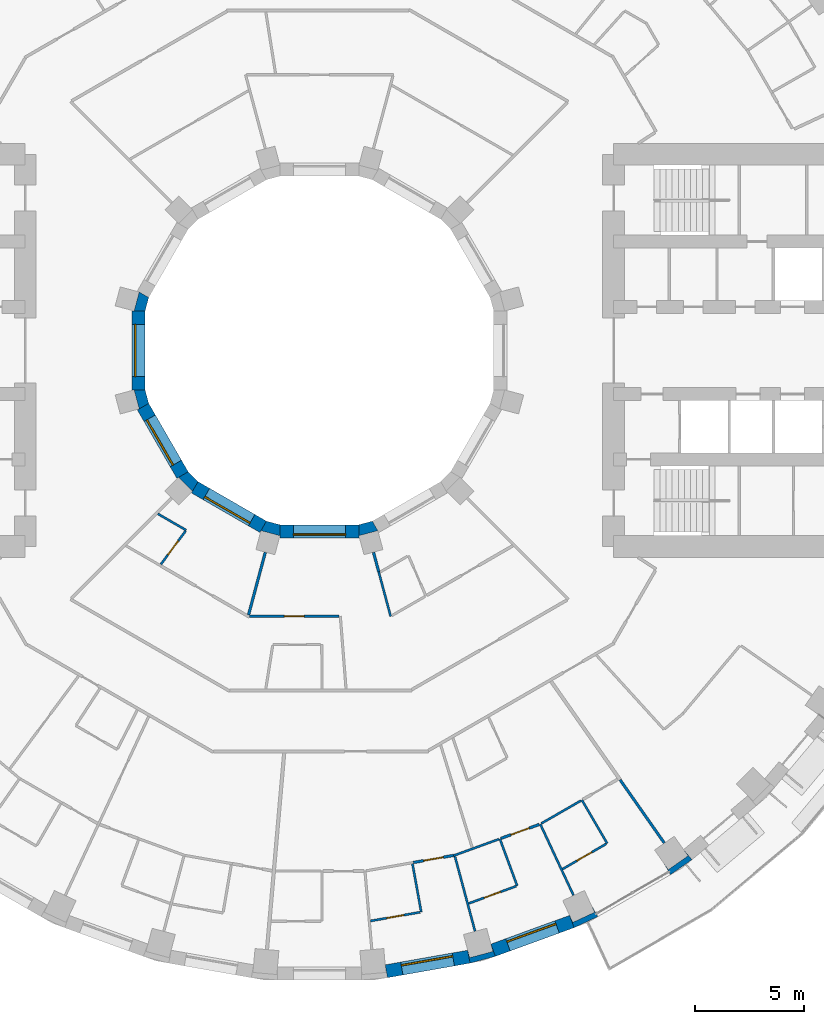
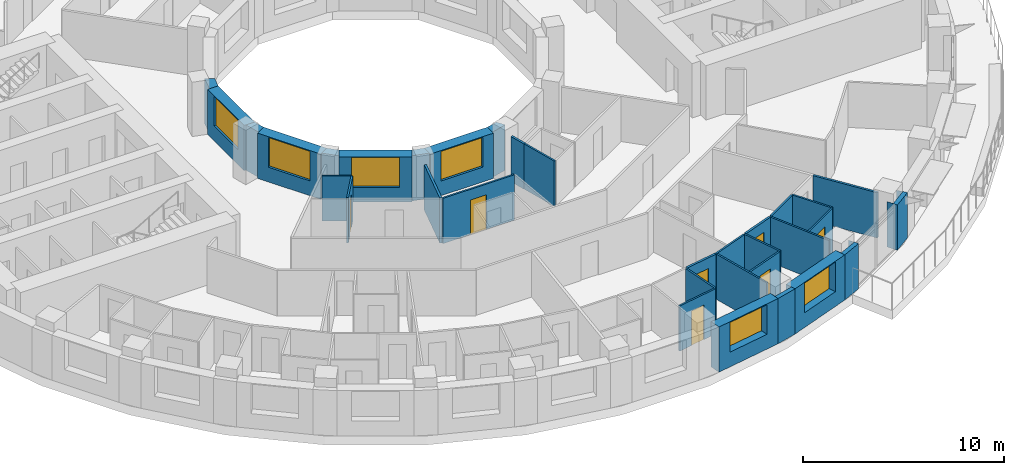
# One storey, part 7 of 15: 33 walls, 7 doors, 6 windows, 13 openings.
"""IFC4 building model written with IfcOpenShell, lengths in metres."""

from ifc_helpers import new_model, si_unit, direction, frame, frame_2d, origin, place, context, subcontext, project, spatial, polyline, rectangle, outline, extrude, material, layer, layer_set, type_object, element, fill, save


model = new_model("IFC4")

# Units and contexts
model_context = context("Model", 3, precision=1e-05, world=origin(), true_north=direction((0.0, 1.0)))
body_context = subcontext(model_context, "Body", "Model", "MODEL_VIEW")
ifc_project = project(units=[si_unit("LENGTHUNIT", "METRE"), si_unit("AREAUNIT", "SQUARE_METRE"), si_unit("VOLUMEUNIT", "CUBIC_METRE"), si_unit("PLANEANGLEUNIT", "RADIAN"), si_unit("MASSUNIT", "GRAM", prefix="KILO")], contexts=[model_context])

# Site, building, storey
site_placement = place(None, origin())
site = spatial("IfcSite", under=ifc_project, at=site_placement, CompositionType="ELEMENT")
building_placement = place(site_placement, origin())
building = spatial("IfcBuilding", under=site, at=building_placement, Name="Saqina Gate Tower", CompositionType="ELEMENT")
storey_placement = place(building_placement, frame((0.0, 0.0, 39.5)))
storey = spatial("IfcBuildingStorey", under=building, at=storey_placement, Name="L10", CompositionType="ELEMENT", Elevation=39.5)

# Walls
ifc_material_1 = material(Name="Brick masonry (red)", Category="masonry")
wall_type_1 = type_object("IfcWallType", Name="BRICK PIER COPING RED", PredefinedType="SOLIDWALL", material=ifc_material_1)
wall_1_placement = place(storey_placement, origin())
element("IfcWall", 1, at=wall_1_placement, inside=storey, type_object=wall_type_1, Name="Pier cap L10 column 29", PredefinedType="SOLIDWALL", context=body_context, shape_type="SweptSolid", body=[
    extrude(outline(polyline([(6.910400390625, -28.11669921875), (8.073974609375, -27.80517578125), (7.86865234375, -27.2412109375), (7.95947265625, -27.57958984375), (6.896728515625, -27.864501953125), (6.80615234375, -27.52587890625), (6.910400390625, -28.11669921875)])), origin(), (0.0, 0.0, 1.0), 2.75),
])
wall_2_placement = place(storey_placement, origin())
element("IfcWall", 2, at=wall_2_placement, inside=storey, type_object=wall_type_1, Name="Pier cap L10 column 30", PredefinedType="SOLIDWALL", context=body_context, shape_type="SweptSolid", body=[
    extrude(outline(polyline([(12.779541015625, -25.980712890625), (12.4794921875, -25.4609375), (12.627685546875, -25.778564453125), (11.630615234375, -26.243408203125), (11.482666015625, -25.92578125), (11.687744140625, -26.48974609375), (12.779541015625, -25.980712890625)])), origin(), (0.0, 0.0, 1.0), 2.75),
])
wall_3_placement = place(storey_placement, origin())
element("IfcWall", 3, at=wall_3_placement, inside=storey, type_object=wall_type_1, Name="Pier cap L10 column 31", PredefinedType="SOLIDWALL", context=body_context, shape_type="SweptSolid", body=[
    extrude(outline(polyline([(16.110107421875, -24.0576171875), (17.096923828125, -23.36669921875), (16.711181640625, -22.9072265625), (16.912109375, -23.194091796875), (16.010986328125, -23.8251953125), (15.81005859375, -23.5380859375), (16.110107421875, -24.0576171875)])), origin(), (0.0, 0.0, 1.0), 2.75),
])

# Wall, opening, window
ifc_material_2 = material(Name="Brick masonry (red)", Category="masonry")
ifc_layer_1 = layer(ifc_material_2, 0.60009765625)
ifc_layer_set_1 = layer_set([ifc_layer_1], Name="FW-BRICK-RED")
wall_type_2 = type_object("IfcWallType", Name="FW-BRICK-RED", PredefinedType="SOLIDWALL", material=ifc_layer_set_1)
wall_4_placement = place(storey_placement, frame((3.07080078125, -28.4892578125, 0.0), z_axis=(0.0, 0.0, 1.0), x_axis=(0.984800809218, 0.173687553279, 0.0)))
wall_4 = element("IfcWall", 4, at=wall_4_placement, inside=storey, type_object=wall_type_2, Name="Facade wall L10 facet 28", PredefinedType="SOLIDWALL", context=body_context, shape_type="SweptSolid", body=[
    extrude(rectangle(XDim=3.845703125, YDim=0.60009765625, at=frame_2d((1.9228515625, 0.0))), origin(), (0.0, 0.0, 1.0), 2.75),
])
opening_1_placement = place(wall_4_placement, frame((0.722900390625, 0.0, 0.89990234375)))
opening_1 = element("IfcOpeningElement", 5, at=opening_1_placement, cuts=wall_4, Name="Opening G02-W21", PredefinedType="OPENING", context=body_context, shape_type="SweptSolid", body=[
    extrude(rectangle(XDim=2.39990234375, YDim=1.800048828125, at=frame_2d((1.199951171875, 0.89990234375))), frame((0.0, 0.31201171875, 0.0), z_axis=(0.0, -1.0, 0.0), x_axis=(1.0, 0.0, 0.0)), (0.0, 0.0, 1.0), 0.6240234375),
])
ifc_material_3 = material(Name="Aluminium glazing", Category="aluminium")
window_type_1 = type_object("IfcWindowType", Name="WN-A", PartitioningType="SINGLE_PANEL", PredefinedType="WINDOW", material=ifc_material_3)
window_1_placement = place(opening_1_placement, origin())
window_1 = element("IfcWindow", 6, at=window_1_placement, inside=storey, type_object=window_type_1, Name="Window L10 facet 28", OverallHeight=1.800048828125, OverallWidth=2.39990234375, PartitioningType="SINGLE_PANEL", PredefinedType="WINDOW", context=body_context, shape_type="SweptSolid", body=[
    extrude(rectangle(XDim=2.39990234375, YDim=1.800048828125, at=frame_2d((1.199951171875, 0.89990234375))), frame((0.0, 0.179931640625, 0.0), z_axis=(0.0, -1.0, 0.0), x_axis=(1.0, 0.0, 0.0)), (0.0, 0.0, 1.0), 0.06005859375),
])
fill(opening_1, window_1)

wall_5_placement = place(storey_placement, frame((7.97119140625, -27.523193359375, 0.0), z_axis=(0.0, 0.0, 1.0), x_axis=(0.939689588564, 0.342028474173, 0.0)))
wall_5 = element("IfcWall", 7, at=wall_5_placement, inside=storey, type_object=wall_type_2, Name="Facade wall L10 facet 29", PredefinedType="SOLIDWALL", context=body_context, shape_type="SweptSolid", body=[
    extrude(rectangle(XDim=3.845947265625, YDim=0.60009765625, at=frame_2d((1.9228515625, 0.0))), origin(), (0.0, 0.0, 1.0), 2.75),
])
opening_2_placement = place(wall_5_placement, frame((0.722900390625, 0.0, 0.89990234375)))
opening_2 = element("IfcOpeningElement", 8, at=opening_2_placement, cuts=wall_5, Name="Opening G02-W22", PredefinedType="OPENING", context=body_context, shape_type="SweptSolid", body=[
    extrude(rectangle(XDim=2.39990234375, YDim=1.800048828125, at=frame_2d((1.199951171875, 0.89990234375))), frame((0.0, 0.31201171875, 0.0), z_axis=(0.0, -1.0, 0.0), x_axis=(1.0, 0.0, 0.0)), (0.0, 0.0, 1.0), 0.6240234375),
])
window_2_placement = place(opening_2_placement, origin())
window_2 = element("IfcWindow", 9, at=window_2_placement, inside=storey, type_object=window_type_1, Name="Window L10 facet 29", OverallHeight=1.800048828125, OverallWidth=2.39990234375, PartitioningType="SINGLE_PANEL", PredefinedType="WINDOW", context=body_context, shape_type="SweptSolid", body=[
    extrude(rectangle(XDim=2.39990234375, YDim=1.800048828125, at=frame_2d((1.199951171875, 0.89990234375))), frame((0.0, 0.179931640625, 0.0), z_axis=(0.0, -1.0, 0.0), x_axis=(1.0, 0.0, 0.0)), (0.0, 0.0, 1.0), 0.06005859375),
])
fill(opening_2, window_2)

ifc_material_4 = material(Name="Glazed ceramic tile", Category="ceramic")
ifc_layer_2 = layer(ifc_material_4, 0.60009765625)
ifc_layer_set_2 = layer_set([ifc_layer_2], Name="IW-TILE")
wall_type_3 = type_object("IfcWallType", Name="IW-TILE", PredefinedType="SOLIDWALL", material=ifc_layer_set_2)
wall_6_placement = place(storey_placement, frame((-8.300048828125, 1.8125, 0.0), z_axis=(0.0, 0.0, 1.0), x_axis=(0.0, -1.0, 0.0)))
wall_6 = element("IfcWall", 10, at=wall_6_placement, inside=storey, type_object=wall_type_3, Name="Well wall L10 facet 6", PredefinedType="SOLIDWALL", context=body_context, shape_type="SweptSolid", body=[
    extrude(rectangle(XDim=3.625, YDim=0.60009765625, at=frame_2d((1.8125, 0.0))), origin(), (0.0, 0.0, 1.0), 2.75),
])
opening_3_placement = place(wall_6_placement, frame((0.612548828125, 0.0, 0.89990234375)))
opening_3 = element("IfcOpeningElement", 11, at=opening_3_placement, cuts=wall_6, Name="Opening G02-W28", PredefinedType="OPENING", context=body_context, shape_type="SweptSolid", body=[
    extrude(rectangle(XDim=2.39990234375, YDim=1.800048828125, at=frame_2d((1.199951171875, 0.89990234375))), frame((0.0, 0.31201171875, 0.0), z_axis=(0.0, -1.0, 0.0), x_axis=(1.0, 0.0, 0.0)), (0.0, 0.0, 1.0), 0.6240234375),
])
ifc_material_5 = material(Name="Aluminium glazing", Category="aluminium")
window_type_2 = type_object("IfcWindowType", Name="WN-W", PartitioningType="SINGLE_PANEL", PredefinedType="WINDOW", material=ifc_material_5)
window_3_placement = place(opening_3_placement, origin())
window_3 = element("IfcWindow", 12, at=window_3_placement, inside=storey, type_object=window_type_2, Name="Well window L10 facet 6", OverallHeight=1.800048828125, OverallWidth=2.39990234375, PartitioningType="SINGLE_PANEL", PredefinedType="WINDOW", context=body_context, shape_type="SweptSolid", body=[
    extrude(rectangle(XDim=2.39990234375, YDim=1.800048828125, at=frame_2d((1.199951171875, 0.89990234375))), frame((0.0, -0.119873046875, 0.0), z_axis=(0.0, -1.0, 0.0), x_axis=(1.0, 0.0, 0.0)), (0.0, 0.0, 1.0), 0.06005859375),
])
fill(opening_3, window_3)

wall_7_placement = place(storey_placement, frame((-8.09423828125, -2.580322265625, 0.0), z_axis=(0.0, 0.0, 1.0), x_axis=(0.499992569217, -0.866029693906, 0.0)))
wall_7 = element("IfcWall", 13, at=wall_7_placement, inside=storey, type_object=wall_type_3, Name="Well wall L10 facet 7", PredefinedType="SOLIDWALL", context=body_context, shape_type="SweptSolid", body=[
    extrude(rectangle(XDim=3.625, YDim=0.60009765625, at=frame_2d((1.8125, 0.0))), origin(), (0.0, 0.0, 1.0), 2.75),
])
opening_4_placement = place(wall_7_placement, frame((0.612548828125, 0.0, 0.89990234375)))
opening_4 = element("IfcOpeningElement", 14, at=opening_4_placement, cuts=wall_7, Name="Opening G02-W29", PredefinedType="OPENING", context=body_context, shape_type="SweptSolid", body=[
    extrude(rectangle(XDim=2.39990234375, YDim=1.800048828125, at=frame_2d((1.199951171875, 0.89990234375))), frame((0.0, 0.31201171875, 0.0), z_axis=(0.0, -1.0, 0.0), x_axis=(1.0, 0.0, 0.0)), (0.0, 0.0, 1.0), 0.6240234375),
])
window_4_placement = place(opening_4_placement, origin())
window_4 = element("IfcWindow", 15, at=window_4_placement, inside=storey, type_object=window_type_2, Name="Well window L10 facet 7", OverallHeight=1.800048828125, OverallWidth=2.39990234375, PartitioningType="SINGLE_PANEL", PredefinedType="WINDOW", context=body_context, shape_type="SweptSolid", body=[
    extrude(rectangle(XDim=2.39990234375, YDim=1.800048828125, at=frame_2d((1.199951171875, 0.89990234375))), frame((0.0, -0.119873046875, 0.0), z_axis=(0.0, -1.0, 0.0), x_axis=(1.0, 0.0, 0.0)), (0.0, 0.0, 1.0), 0.06005859375),
])
fill(opening_4, window_4)

wall_8_placement = place(storey_placement, frame((-5.7197265625, -6.28173828125, 0.0), z_axis=(0.0, 0.0, 1.0), x_axis=(0.866029693906, -0.499992569217, 0.0)))
wall_8 = element("IfcWall", 16, at=wall_8_placement, inside=storey, type_object=wall_type_3, Name="Well wall L10 facet 8", PredefinedType="SOLIDWALL", context=body_context, shape_type="SweptSolid", body=[
    extrude(rectangle(XDim=3.625, YDim=0.60009765625, at=frame_2d((1.8125, 0.0))), origin(), (0.0, 0.0, 1.0), 2.75),
])
opening_5_placement = place(wall_8_placement, frame((0.612548828125, 0.0, 0.89990234375)))
opening_5 = element("IfcOpeningElement", 17, at=opening_5_placement, cuts=wall_8, Name="Opening G02-W30", PredefinedType="OPENING", context=body_context, shape_type="SweptSolid", body=[
    extrude(rectangle(XDim=2.39990234375, YDim=1.800048828125, at=frame_2d((1.199951171875, 0.89990234375))), frame((0.0, 0.31201171875, 0.0), z_axis=(0.0, -1.0, 0.0), x_axis=(1.0, 0.0, 0.0)), (0.0, 0.0, 1.0), 0.6240234375),
])
window_5_placement = place(opening_5_placement, origin())
window_5 = element("IfcWindow", 18, at=window_5_placement, inside=storey, type_object=window_type_2, Name="Well window L10 facet 8", OverallHeight=1.800048828125, OverallWidth=2.39990234375, PartitioningType="SINGLE_PANEL", PredefinedType="WINDOW", context=body_context, shape_type="SweptSolid", body=[
    extrude(rectangle(XDim=2.39990234375, YDim=1.800048828125, at=frame_2d((1.199951171875, 0.89990234375))), frame((0.0, -0.119873046875, 0.0), z_axis=(0.0, -1.0, 0.0), x_axis=(1.0, 0.0, 0.0)), (0.0, 0.0, 1.0), 0.06005859375),
])
fill(opening_5, window_5)

wall_9_placement = place(storey_placement, frame((-1.8125, -8.300048828125, 0.0), z_axis=(0.0, 0.0, 1.0), x_axis=(1.0, 0.0, 0.0)))
wall_9 = element("IfcWall", 19, at=wall_9_placement, inside=storey, type_object=wall_type_3, Name="Well wall L10 facet 9", PredefinedType="SOLIDWALL", context=body_context, shape_type="SweptSolid", body=[
    extrude(rectangle(XDim=3.625, YDim=0.60009765625, at=frame_2d((1.8125, 0.0))), origin(), (0.0, 0.0, 1.0), 2.75),
])
opening_6_placement = place(wall_9_placement, frame((0.612548828125, 0.0, 0.89990234375)))
opening_6 = element("IfcOpeningElement", 20, at=opening_6_placement, cuts=wall_9, Name="Opening G02-W31", PredefinedType="OPENING", context=body_context, shape_type="SweptSolid", body=[
    extrude(rectangle(XDim=2.39990234375, YDim=1.800048828125, at=frame_2d((1.199951171875, 0.89990234375))), frame((0.0, 0.31201171875, 0.0), z_axis=(0.0, -1.0, 0.0), x_axis=(1.0, 0.0, 0.0)), (0.0, 0.0, 1.0), 0.6240234375),
])
window_6_placement = place(opening_6_placement, origin())
window_6 = element("IfcWindow", 21, at=window_6_placement, inside=storey, type_object=window_type_2, Name="Well window L10 facet 9", OverallHeight=1.800048828125, OverallWidth=2.39990234375, PartitioningType="SINGLE_PANEL", PredefinedType="WINDOW", context=body_context, shape_type="SweptSolid", body=[
    extrude(rectangle(XDim=2.39990234375, YDim=1.800048828125, at=frame_2d((1.199951171875, 0.89990234375))), frame((0.0, -0.119873046875, 0.0), z_axis=(0.0, -1.0, 0.0), x_axis=(1.0, 0.0, 0.0)), (0.0, 0.0, 1.0), 0.06005859375),
])
fill(opening_6, window_6)

# Walls
ifc_material_6 = material(Name="Gypsum board on steel studs, 100 mm", Category="steel")
ifc_layer_3 = layer(ifc_material_6, 0.10009765625)
ifc_layer_set_3 = layer_set([ifc_layer_3], Name="PARTITION 100")
wall_type_4 = type_object("IfcWallType", Name="PARTITION 100", PredefinedType="PARTITIONING", material=ifc_layer_set_3)
wall_10_placement = place(storey_placement, frame((4.27099609375, -23.55615234375, 0.0), z_axis=(0.0, 0.0, 1.0), x_axis=(0.178283818946, -0.983979105419, 0.0)))
element("IfcWall", 22, at=wall_10_placement, inside=storey, type_object=wall_type_4, Name="PARTITION PW3-09", PredefinedType="PARTITIONING", context=body_context, shape_type="SweptSolid", body=[
    extrude(rectangle(XDim=2.25, YDim=0.10009765625, at=frame_2d((1.125, 0.0))), origin(), (0.0, 0.0, 1.0), 2.75),
])
wall_11_placement = place(storey_placement, frame((2.718994140625, -10.152099609375, 0.0), z_axis=(0.0, 0.0, 1.0), x_axis=(0.259403619233, -0.965769000501, 0.0)))
element("IfcWall", 23, at=wall_11_placement, inside=storey, type_object=wall_type_4, Name="PARTITION PW3-13", PredefinedType="PARTITIONING", context=body_context, shape_type="SweptSolid", body=[
    extrude(rectangle(XDim=2.120361328125, YDim=0.10009765625, at=frame_2d((1.06005859375, 0.0))), origin(), (0.0, 0.0, 1.0), 2.75),
])
wall_12_placement = place(storey_placement, frame((6.22119140625, -23.224853515625, 0.0), z_axis=(0.0, 0.0, 1.0), x_axis=(0.259393262225, -0.965771782313, 0.0)))
element("IfcWall", 24, at=wall_12_placement, inside=storey, type_object=wall_type_4, Name="PARTITION PW3-14", PredefinedType="PARTITIONING", context=body_context, shape_type="SweptSolid", body=[
    extrude(rectangle(XDim=3.54638671875, YDim=0.10009765625, at=frame_2d((1.773193359375, 0.0))), origin(), (0.0, 0.0, 1.0), 2.75),
])
wall_13_placement = place(storey_placement, frame((8.279052734375, -22.409912109375, 0.0), z_axis=(0.0, 0.0, 1.0), x_axis=(0.346546571046, -0.938032768136, 0.0)))
element("IfcWall", 25, at=wall_13_placement, inside=storey, type_object=wall_type_4, Name="PARTITION PW3-19", PredefinedType="PARTITIONING", context=body_context, shape_type="SweptSolid", body=[
    extrude(rectangle(XDim=2.299560546875, YDim=0.10009765625, at=frame_2d((1.14990234375, 0.0))), origin(), (0.0, 0.0, 1.0), 2.75),
])
wall_14_placement = place(storey_placement, frame((10.135009765625, -21.73388671875, 0.0), z_axis=(0.0, 0.0, 1.0), x_axis=(0.422504004964, -0.906361057079, 0.0)))
element("IfcWall", 26, at=wall_14_placement, inside=storey, type_object=wall_type_4, Name="PARTITION PW3-22", PredefinedType="PARTITIONING", context=body_context, shape_type="SweptSolid", body=[
    extrude(rectangle(XDim=3.609130859375, YDim=0.10009765625, at=frame_2d((1.8046875, 0.0))), origin(), (0.0, 0.0, 1.0), 2.75),
])
wall_15_placement = place(storey_placement, frame((12.044921875, -20.631103515625, 0.0), z_axis=(0.0, 0.0, 1.0), x_axis=(0.503937015779, -0.863740403204, 0.0)))
element("IfcWall", 27, at=wall_15_placement, inside=storey, type_object=wall_type_4, Name="PARTITION PW3-28", PredefinedType="PARTITIONING", context=body_context, shape_type="SweptSolid", body=[
    extrude(rectangle(XDim=2.30029296875, YDim=0.10009765625, at=frame_2d((1.150146484375, 0.0))), origin(), (0.0, 0.0, 1.0), 2.75),
])
wall_16_placement = place(storey_placement, frame((-7.412841796875, -7.498291015625, 0.0), z_axis=(0.0, 0.0, 1.0), x_axis=(0.866060889342, -0.499938532174, 0.0)))
element("IfcWall", 28, at=wall_16_placement, inside=storey, type_object=wall_type_4, Name="PARTITION PW3-44", PredefinedType="PARTITIONING", context=body_context, shape_type="SweptSolid", body=[
    extrude(rectangle(XDim=1.499755859375, YDim=0.10009765625, at=frame_2d((0.75, 0.0))), origin(), (0.0, 0.0, 1.0), 2.75),
])

# Wall, opening, door
wall_17_placement = place(storey_placement, frame((-3.20556640625, -12.199951171875, 0.0), z_axis=(0.0, 0.0, 1.0), x_axis=(1.0, 0.0, 0.0)))
wall_17 = element("IfcWall", 29, at=wall_17_placement, inside=storey, type_object=wall_type_4, Name="PARTITION PW3-60", PredefinedType="PARTITIONING", context=body_context, shape_type="SweptSolid", body=[
    extrude(rectangle(XDim=4.113525390625, YDim=0.10009765625, at=frame_2d((2.056640625, 0.0))), origin(), (0.0, 0.0, 1.0), 2.75),
])
opening_7_placement = place(wall_17_placement, frame((1.6005859375, 0.0, 0.0)))
opening_7 = element("IfcOpeningElement", 30, at=opening_7_placement, cuts=wall_17, Name="Opening G02-D50", PredefinedType="OPENING", context=body_context, shape_type="SweptSolid", body=[
    extrude(rectangle(XDim=0.89990234375, YDim=2.10009765625, at=frame_2d((0.449951171875, 1.050048828125))), frame((0.0, 0.06201171875, 0.0), z_axis=(0.0, -1.0, 0.0), x_axis=(1.0, 0.0, 0.0)), (0.0, 0.0, 1.0), 0.1240234375),
])
ifc_material_7 = material(Name="Timber door leaf, 900 mm", Category="wood")
door_type_1 = type_object("IfcDoorType", Name="DOOR 900 TIMBER", OperationType="SINGLE_SWING_LEFT", PredefinedType="DOOR", material=ifc_material_7)
door_1_placement = place(opening_7_placement, origin())
door_1 = element("IfcDoor", 31, at=door_1_placement, inside=storey, type_object=door_type_1, Name="DOOR G02-D50", OperationType="SINGLE_SWING_LEFT", OverallHeight=2.10009765625, OverallWidth=0.89990234375, PredefinedType="DOOR", context=body_context, shape_type="SweptSolid", body=[
    extrude(rectangle(XDim=0.89990234375, YDim=2.10009765625, at=frame_2d((0.449951171875, 1.050048828125))), frame((0.0, 0.02490234375, 0.0), z_axis=(0.0, -1.0, 0.0), x_axis=(1.0, 0.0, 0.0)), (0.0, 0.0, 1.0), 0.050048828125),
])
fill(opening_7, door_1)

wall_18_placement = place(storey_placement, frame((2.340576171875, -26.18115234375, 0.0), z_axis=(0.0, 0.0, 1.0), x_axis=(0.984795222678, 0.173719225738, 0.0)))
wall_18 = element("IfcWall", 32, at=wall_18_placement, inside=storey, type_object=wall_type_4, Name="PARTITION PW3-65", PredefinedType="PARTITIONING", context=body_context, shape_type="SweptSolid", body=[
    extrude(rectangle(XDim=2.3173828125, YDim=0.10009765625, at=frame_2d((1.15869140625, 0.0))), origin(), (0.0, 0.0, 1.0), 2.75),
])
opening_8_placement = place(wall_18_placement, frame((0.758544921875, 0.0, 0.0)))
opening_8 = element("IfcOpeningElement", 33, at=opening_8_placement, cuts=wall_18, Name="Opening G02-D55", PredefinedType="OPENING", context=body_context, shape_type="SweptSolid", body=[
    extrude(rectangle(XDim=0.800048828125, YDim=2.10009765625, at=frame_2d((0.39990234375, 1.050048828125))), frame((0.0, 0.06201171875, 0.0), z_axis=(0.0, -1.0, 0.0), x_axis=(1.0, 0.0, 0.0)), (0.0, 0.0, 1.0), 0.1240234375),
])
ifc_material_8 = material(Name="Timber door leaf, 800 mm", Category="wood")
door_type_2 = type_object("IfcDoorType", Name="DOOR 800 TIMBER", OperationType="SINGLE_SWING_LEFT", PredefinedType="DOOR", material=ifc_material_8)
door_2_placement = place(opening_8_placement, frame((0.800048828125, 0.0, 0.0), z_axis=(0.0, 0.0, 1.0), x_axis=(-1.0, 0.0, 0.0)))
door_2 = element("IfcDoor", 34, at=door_2_placement, inside=storey, type_object=door_type_2, Name="DOOR G02-D55", OperationType="SINGLE_SWING_RIGHT", OverallHeight=2.10009765625, OverallWidth=0.800048828125, PredefinedType="DOOR", context=body_context, shape_type="SweptSolid", body=[
    extrude(rectangle(XDim=0.800048828125, YDim=2.10009765625, at=frame_2d((0.39990234375, 1.050048828125))), frame((0.0, 0.02490234375, 0.0), z_axis=(0.0, -1.0, 0.0), x_axis=(1.0, 0.0, 0.0)), (0.0, 0.0, 1.0), 0.050048828125),
])
fill(opening_8, door_2)

wall_19_placement = place(storey_placement, frame((6.851318359375, -25.376708984375, 0.0), z_axis=(0.0, 0.0, 1.0), x_axis=(0.939679567759, 0.342056004093, 0.0)))
wall_19 = element("IfcWall", 35, at=wall_19_placement, inside=storey, type_object=wall_type_4, Name="PARTITION PW3-69", PredefinedType="PARTITIONING", context=body_context, shape_type="SweptSolid", body=[
    extrude(rectangle(XDim=2.317626953125, YDim=0.10009765625, at=frame_2d((1.15869140625, 0.0))), origin(), (0.0, 0.0, 1.0), 2.75),
])
opening_9_placement = place(wall_19_placement, frame((0.75830078125, 0.0, 0.0)))
opening_9 = element("IfcOpeningElement", 36, at=opening_9_placement, cuts=wall_19, Name="Opening G02-D58", PredefinedType="OPENING", context=body_context, shape_type="SweptSolid", body=[
    extrude(rectangle(XDim=0.800048828125, YDim=2.10009765625, at=frame_2d((0.39990234375, 1.050048828125))), frame((0.0, 0.06201171875, 0.0), z_axis=(0.0, -1.0, 0.0), x_axis=(1.0, 0.0, 0.0)), (0.0, 0.0, 1.0), 0.1240234375),
])
door_3_placement = place(opening_9_placement, frame((0.800048828125, 0.0, 0.0), z_axis=(0.0, 0.0, 1.0), x_axis=(-1.0, 0.0, 0.0)))
door_3 = element("IfcDoor", 37, at=door_3_placement, inside=storey, type_object=door_type_2, Name="DOOR G02-D58", OperationType="SINGLE_SWING_RIGHT", OverallHeight=2.10009765625, OverallWidth=0.800048828125, PredefinedType="DOOR", context=body_context, shape_type="SweptSolid", body=[
    extrude(rectangle(XDim=0.800048828125, YDim=2.10009765625, at=frame_2d((0.39990234375, 1.050048828125))), frame((0.0, 0.02490234375, 0.0), z_axis=(0.0, -1.0, 0.0), x_axis=(1.0, 0.0, 0.0)), (0.0, 0.0, 1.0), 0.050048828125),
])
fill(opening_9, door_3)

# Walls
wall_20_placement = place(storey_placement, frame((6.1591796875, -23.181396484375, 0.0), z_axis=(0.0, 0.0, 1.0), x_axis=(0.939696437289, 0.342009657388, 0.0)))
element("IfcWall", 38, at=wall_20_placement, inside=storey, type_object=wall_type_4, Name="PARTITION PW3-70", PredefinedType="PARTITIONING", context=body_context, shape_type="SweptSolid", body=[
    extrude(rectangle(XDim=2.205810546875, YDim=0.10009765625, at=frame_2d((1.10302734375, 0.0))), origin(), (0.0, 0.0, 1.0), 2.75),
])
wall_21_placement = place(storey_placement, frame((10.189208984375, -21.702880859375, 0.0), z_axis=(0.0, 0.0, 1.0), x_axis=(0.866587299052, 0.499025503479, 0.0)))
element("IfcWall", 39, at=wall_21_placement, inside=storey, type_object=wall_type_4, Name="PARTITION PW3-75", PredefinedType="PARTITIONING", context=body_context, shape_type="SweptSolid", body=[
    extrude(rectangle(XDim=2.093017578125, YDim=0.10009765625, at=frame_2d((1.04638671875, 0.0))), origin(), (0.0, 0.0, 1.0), 2.75),
])

# Wall, opening, door
wall_22_placement = place(storey_placement, frame((11.154296875, -23.802001953125, 0.0), z_axis=(0.0, 0.0, 1.0), x_axis=(0.865918825327, 0.500184553885, 0.0)))
wall_22 = element("IfcWall", 40, at=wall_22_placement, inside=storey, type_object=wall_type_4, Name="PARTITION PW3-76", PredefinedType="PARTITIONING", context=body_context, shape_type="SweptSolid", body=[
    extrude(rectangle(XDim=2.31689453125, YDim=0.10009765625, at=frame_2d((1.158447265625, 0.0))), origin(), (0.0, 0.0, 1.0), 2.75),
])
opening_10_placement = place(wall_22_placement, frame((0.758544921875, 0.0, 0.0)))
opening_10 = element("IfcOpeningElement", 41, at=opening_10_placement, cuts=wall_22, Name="Opening G02-D62", PredefinedType="OPENING", context=body_context, shape_type="SweptSolid", body=[
    extrude(rectangle(XDim=0.800048828125, YDim=2.10009765625, at=frame_2d((0.39990234375, 1.050048828125))), frame((0.0, 0.06201171875, 0.0), z_axis=(0.0, -1.0, 0.0), x_axis=(1.0, 0.0, 0.0)), (0.0, 0.0, 1.0), 0.1240234375),
])
door_4_placement = place(opening_10_placement, frame((0.800048828125, 0.0, 0.0), z_axis=(0.0, 0.0, 1.0), x_axis=(-1.0, 0.0, 0.0)))
door_4 = element("IfcDoor", 42, at=door_4_placement, inside=storey, type_object=door_type_2, Name="DOOR G02-D62", OperationType="SINGLE_SWING_RIGHT", OverallHeight=2.10009765625, OverallWidth=0.800048828125, PredefinedType="DOOR", context=body_context, shape_type="SweptSolid", body=[
    extrude(rectangle(XDim=0.800048828125, YDim=2.10009765625, at=frame_2d((0.39990234375, 1.050048828125))), frame((0.0, 0.02490234375, 0.0), z_axis=(0.0, -1.0, 0.0), x_axis=(1.0, 0.0, 0.0)), (0.0, 0.0, 1.0), 0.050048828125),
])
fill(opening_10, door_4)

wall_23_placement = place(storey_placement, frame((-7.27490234375, -9.814697265625, 0.0), z_axis=(0.0, 0.0, 1.0), x_axis=(0.595322808891, 0.803486622922, 0.0)))
wall_23 = element("IfcWall", 43, at=wall_23_placement, inside=storey, type_object=wall_type_4, Name="PARTITION PW3-96", PredefinedType="PARTITIONING", context=body_context, shape_type="SweptSolid", body=[
    extrude(rectangle(XDim=1.89990234375, YDim=0.10009765625, at=frame_2d((0.949951171875, 0.0))), origin(), (0.0, 0.0, 1.0), 2.75),
])
opening_11_placement = place(wall_23_placement, frame((0.543701171875, 0.0, 0.0)))
opening_11 = element("IfcOpeningElement", 44, at=opening_11_placement, cuts=wall_23, Name="Opening G02-D38", PredefinedType="OPENING", context=body_context, shape_type="SweptSolid", body=[
    extrude(rectangle(XDim=0.800048828125, YDim=2.10009765625, at=frame_2d((0.39990234375, 1.050048828125))), frame((0.0, 0.06201171875, 0.0), z_axis=(0.0, -1.0, 0.0), x_axis=(1.0, 0.0, 0.0)), (0.0, 0.0, 1.0), 0.1240234375),
])
door_5_placement = place(opening_11_placement, frame((0.800048828125, 0.0, 0.0), z_axis=(0.0, 0.0, 1.0), x_axis=(-1.0, 0.0, 0.0)))
door_5 = element("IfcDoor", 45, at=door_5_placement, inside=storey, type_object=door_type_2, Name="DOOR G02-D38", OperationType="SINGLE_SWING_RIGHT", OverallHeight=2.10009765625, OverallWidth=0.800048828125, PredefinedType="DOOR", context=body_context, shape_type="SweptSolid", body=[
    extrude(rectangle(XDim=0.800048828125, YDim=2.10009765625, at=frame_2d((0.39990234375, 1.050048828125))), frame((0.0, 0.02490234375, 0.0), z_axis=(0.0, -1.0, 0.0), x_axis=(1.0, 0.0, 0.0)), (0.0, 0.0, 1.0), 0.050048828125),
])
fill(opening_11, door_5)

# Walls
ifc_material_9 = material(Name="Gypsum board on steel studs, 125 mm, fire rated", Category="steel")
ifc_layer_4 = layer(ifc_material_9, 0.125)
ifc_layer_set_4 = layer_set([ifc_layer_4], Name="PARTITION EI 30 125")
wall_type_5 = type_object("IfcWallType", Name="PARTITION EI 30 125", PredefinedType="PARTITIONING", material=ifc_layer_set_4)
wall_24_placement = place(storey_placement, frame((2.482421875, -9.265380859375, 0.0), z_axis=(0.0, 0.0, 1.0), x_axis=(0.25915278109, -0.965836340201, 0.0)))
element("IfcWall", 46, at=wall_24_placement, inside=storey, type_object=wall_type_5, Name="PARTITION PW1-01", PredefinedType="PARTITIONING", context=body_context, shape_type="SweptSolid", body=[
    extrude(rectangle(XDim=0.91748046875, YDim=0.125, at=frame_2d((0.458740234375, 0.0))), origin(), (0.0, 0.0, 1.0), 2.75),
])
wall_25_placement = place(storey_placement, frame((13.798095703125, -19.705322265625, 0.0), z_axis=(0.0, 0.0, 1.0), x_axis=(0.573494797188, -0.819209202584, 0.0)))
element("IfcWall", 47, at=wall_25_placement, inside=storey, type_object=wall_type_5, Name="PARTITION PW1-06", PredefinedType="PARTITIONING", context=body_context, shape_type="SweptSolid", body=[
    extrude(rectangle(XDim=3.5341796875, YDim=0.125, at=frame_2d((1.76708984375, 0.0))), origin(), (0.0, 0.0, 1.0), 2.75),
])

# Wall, opening, door
wall_26_placement = place(storey_placement, frame((4.311279296875, -23.498291015625, 0.0), z_axis=(0.0, 0.0, 1.0), x_axis=(0.984797974945, 0.173703622713, 0.0)))
wall_26 = element("IfcWall", 48, at=wall_26_placement, inside=storey, type_object=wall_type_5, Name="PARTITION PW1-32", PredefinedType="PARTITIONING", context=body_context, shape_type="SweptSolid", body=[
    extrude(rectangle(XDim=1.875, YDim=0.125, at=frame_2d((0.9375, 0.0))), origin(), (0.0, 0.0, 1.0), 2.75),
])
opening_12_placement = place(wall_26_placement, frame((0.487548828125, 0.0, 0.0)))
opening_12 = element("IfcOpeningElement", 49, at=opening_12_placement, cuts=wall_26, Name="Opening G02-D56", PredefinedType="OPENING", context=body_context, shape_type="SweptSolid", body=[
    extrude(rectangle(XDim=0.89990234375, YDim=2.10009765625, at=frame_2d((0.449951171875, 1.050048828125))), frame((0.0, 0.074462890625, 0.0), z_axis=(0.0, -1.0, 0.0), x_axis=(1.0, 0.0, 0.0)), (0.0, 0.0, 1.0), 0.14892578125),
])
ifc_material_10 = material(Name="Fire door leaf EI 30, 900 mm")
door_type_3 = type_object("IfcDoorType", Name="DOOR 900 EI 30", OperationType="SINGLE_SWING_LEFT", PredefinedType="DOOR", material=ifc_material_10)
door_6_placement = place(opening_12_placement, origin())
door_6 = element("IfcDoor", 50, at=door_6_placement, inside=storey, type_object=door_type_3, Name="DOOR G02-D56", OperationType="SINGLE_SWING_RIGHT", OverallHeight=2.10009765625, OverallWidth=0.89990234375, PredefinedType="DOOR", context=body_context, shape_type="SweptSolid", body=[
    extrude(rectangle(XDim=0.89990234375, YDim=2.10009765625, at=frame_2d((0.449951171875, 1.050048828125))), frame((0.0, 0.02490234375, 0.0), z_axis=(0.0, -1.0, 0.0), x_axis=(1.0, 0.0, 0.0)), (0.0, 0.0, 1.0), 0.050048828125),
])
fill(opening_12, door_6)

wall_27_placement = place(storey_placement, frame((8.325927734375, -22.392822265625, 0.0), z_axis=(0.0, 0.0, 1.0), x_axis=(0.939656514106, 0.342119329325, 0.0)))
wall_27 = element("IfcWall", 51, at=wall_27_placement, inside=storey, type_object=wall_type_5, Name="PARTITION PW1-34", PredefinedType="PARTITIONING", context=body_context, shape_type="SweptSolid", body=[
    extrude(rectangle(XDim=1.87548828125, YDim=0.125, at=frame_2d((0.937744140625, 0.0))), origin(), (0.0, 0.0, 1.0), 2.75),
])
opening_13_placement = place(wall_27_placement, frame((0.487548828125, 0.0, 0.0)))
opening_13 = element("IfcOpeningElement", 52, at=opening_13_placement, cuts=wall_27, Name="Opening G02-D59", PredefinedType="OPENING", context=body_context, shape_type="SweptSolid", body=[
    extrude(rectangle(XDim=0.89990234375, YDim=2.10009765625, at=frame_2d((0.449951171875, 1.050048828125))), frame((0.0, 0.074462890625, 0.0), z_axis=(0.0, -1.0, 0.0), x_axis=(1.0, 0.0, 0.0)), (0.0, 0.0, 1.0), 0.14892578125),
])
door_7_placement = place(opening_13_placement, origin())
door_7 = element("IfcDoor", 53, at=door_7_placement, inside=storey, type_object=door_type_3, Name="DOOR G02-D59", OperationType="SINGLE_SWING_RIGHT", OverallHeight=2.10009765625, OverallWidth=0.89990234375, PredefinedType="DOOR", context=body_context, shape_type="SweptSolid", body=[
    extrude(rectangle(XDim=0.89990234375, YDim=2.10009765625, at=frame_2d((0.449951171875, 1.050048828125))), frame((0.0, 0.02490234375, 0.0), z_axis=(0.0, -1.0, 0.0), x_axis=(1.0, 0.0, 0.0)), (0.0, 0.0, 1.0), 0.050048828125),
])
fill(opening_13, door_7)

# Walls
wall_28_placement = place(storey_placement, frame((-3.2529296875, -12.1396484375, 0.0), z_axis=(0.0, 0.0, 1.0), x_axis=(0.258775729179, 0.965937431715, 0.0)))
element("IfcWall", 54, at=wall_28_placement, inside=storey, type_object=wall_type_5, Name="PARTITION PW1-50", PredefinedType="PARTITIONING", context=body_context, shape_type="SweptSolid", body=[
    extrude(rectangle(XDim=2.9755859375, YDim=0.125, at=frame_2d((1.48779296875, 0.0))), origin(), (0.0, 0.0, 1.0), 2.75),
])
ifc_material_11 = material(Name="Glazed ceramic tile", Category="ceramic")
wall_type_6 = type_object("IfcWallType", Name="TILE PIER COPING", PredefinedType="SOLIDWALL", material=ifc_material_11)
wall_29_placement = place(storey_placement, origin())
element("IfcWall", 55, at=wall_29_placement, inside=storey, type_object=wall_type_6, Name="Well pier cap L10 column 6", PredefinedType="SOLIDWALL", context=body_context, shape_type="SweptSolid", body=[
    extrude(outline(polyline([(-8.502685546875, 1.8125), (-8.0, 1.8125), (-7.83447265625, 2.430419921875), (-8.27001953125, 2.681884765625), (-8.502685546875, 1.8125)])), origin(), (0.0, 0.0, 1.0), 2.75),
])
wall_30_placement = place(storey_placement, origin())
element("IfcWall", 56, at=wall_30_placement, inside=storey, type_object=wall_type_6, Name="Well pier cap L10 column 7", PredefinedType="SOLIDWALL", context=body_context, shape_type="SweptSolid", body=[
    extrude(outline(polyline([(-8.27001953125, -2.681884765625), (-7.83447265625, -2.430419921875), (-8.0, -1.8125), (-8.502685546875, -1.8125), (-8.27001953125, -2.681884765625)])), origin(), (0.0, 0.0, 1.0), 2.75),
])
wall_31_placement = place(storey_placement, origin())
element("IfcWall", 57, at=wall_31_placement, inside=storey, type_object=wall_type_6, Name="Well pier cap L10 column 8", PredefinedType="SOLIDWALL", context=body_context, shape_type="SweptSolid", body=[
    extrude(outline(polyline([(-6.45751953125, -5.821044921875), (-5.821044921875, -6.45751953125), (-5.569580078125, -6.02197265625), (-6.02197265625, -5.569580078125), (-6.45751953125, -5.821044921875)])), origin(), (0.0, 0.0, 1.0), 2.75),
])
wall_32_placement = place(storey_placement, origin())
element("IfcWall", 58, at=wall_32_placement, inside=storey, type_object=wall_type_6, Name="Well pier cap L10 column 9", PredefinedType="SOLIDWALL", context=body_context, shape_type="SweptSolid", body=[
    extrude(outline(polyline([(-1.8125, -8.502685546875), (-1.8125, -8.0), (-2.430419921875, -7.83447265625), (-2.681884765625, -8.27001953125), (-1.8125, -8.502685546875)])), origin(), (0.0, 0.0, 1.0), 2.75),
])
wall_33_placement = place(storey_placement, origin())
element("IfcWall", 59, at=wall_33_placement, inside=storey, type_object=wall_type_6, Name="Well pier cap L10 column 10", PredefinedType="SOLIDWALL", context=body_context, shape_type="SweptSolid", body=[
    extrude(outline(polyline([(2.681884765625, -8.27001953125), (2.430419921875, -7.83447265625), (1.8125, -8.0), (1.8125, -8.502685546875), (2.681884765625, -8.27001953125)])), origin(), (0.0, 0.0, 1.0), 2.75),
])

save(model, "model.ifc")
